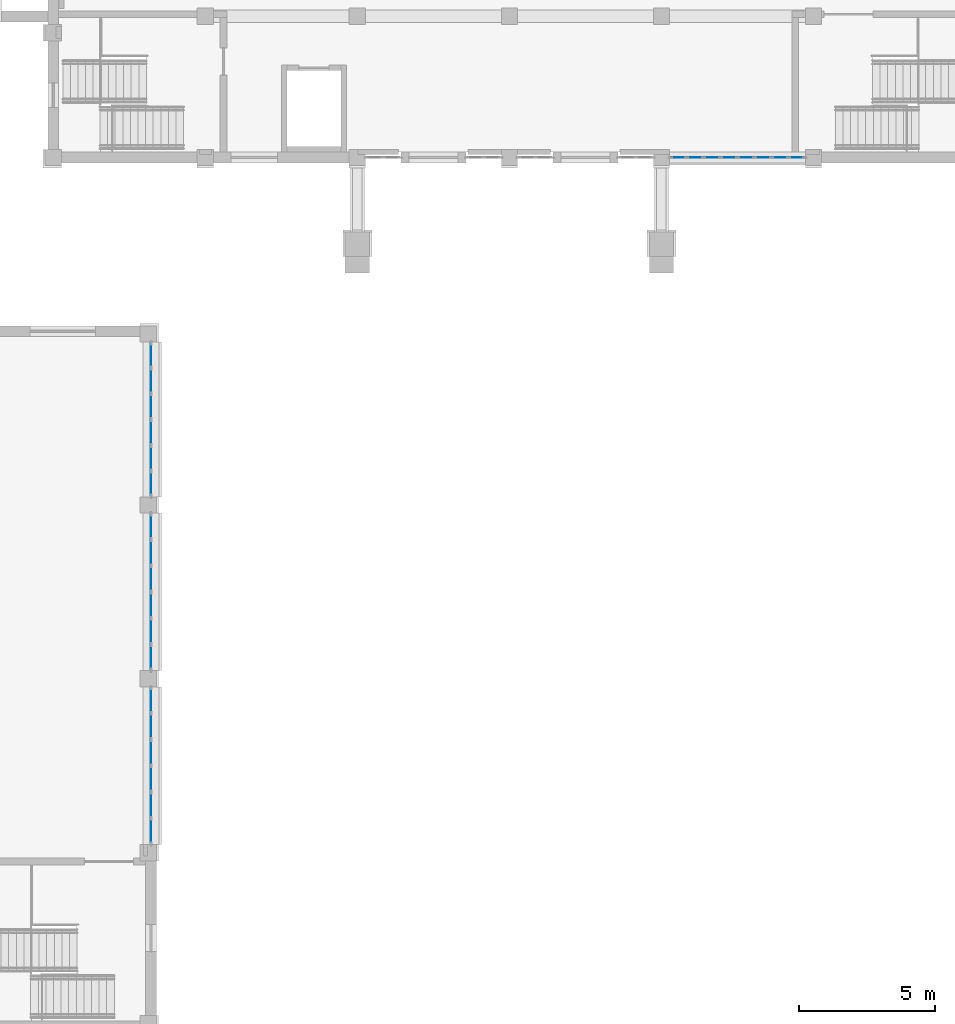
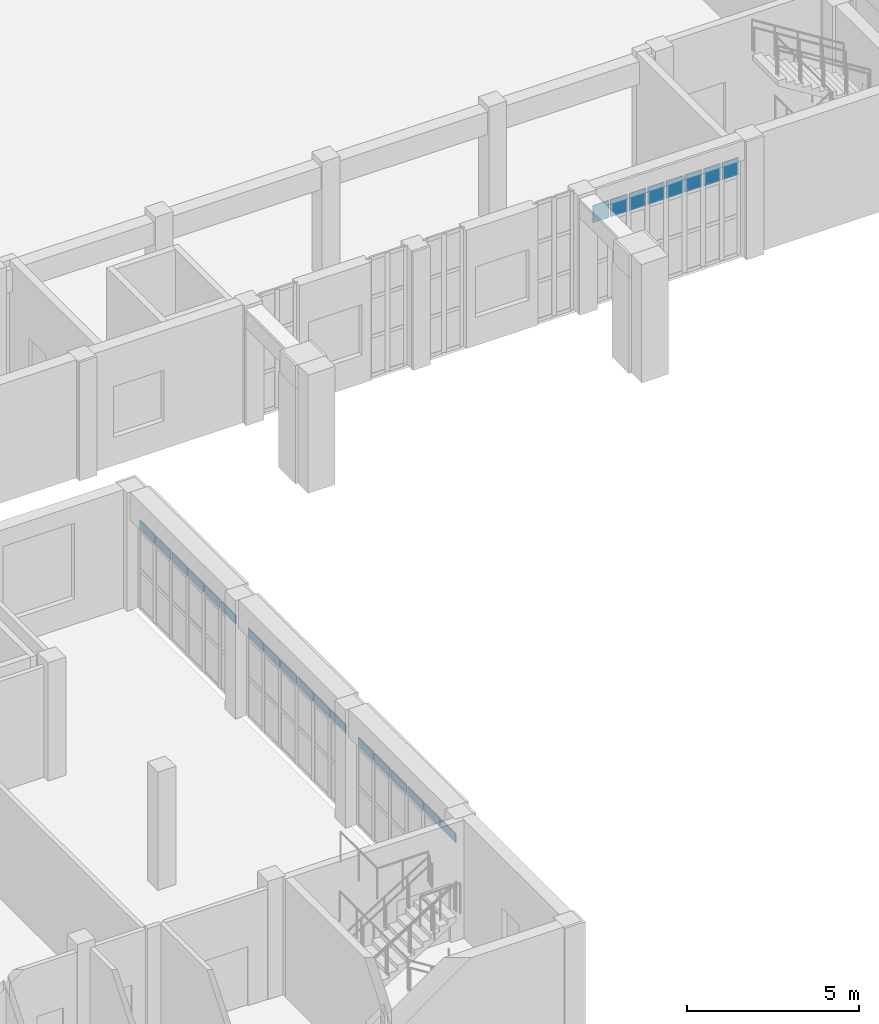
# One storey, part 53 of 99: 26 plates, 4 elements without a shape of their own.
"""IFC4 building model written with IfcOpenShell, lengths in metres."""

from ifc_helpers import new_model, si_unit, direction, frame, origin, origin_2d, place, context, subcontext, project, spatial, rectangle, extrude, material, layer, layer_set, type_object, element, aggregate, save


model = new_model("IFC4")

# Units and contexts
model_context = context("Model", 3, precision=1e-05, world=origin(), true_north=direction((0.0, 1.0)))
body_context = subcontext(model_context, "Body", "Model", "MODEL_VIEW")
ifc_project = project(units=[si_unit("LENGTHUNIT", "METRE"), si_unit("AREAUNIT", "SQUARE_METRE"), si_unit("VOLUMEUNIT", "CUBIC_METRE"), si_unit("PLANEANGLEUNIT", "RADIAN"), si_unit("MASSUNIT", "GRAM", prefix="KILO")], contexts=[model_context])

# Site, building, storey
site_placement = place(None, origin())
site = spatial("IfcSite", under=ifc_project, at=site_placement, CompositionType="ELEMENT")
building_placement = place(site_placement, origin())
building = spatial("IfcBuilding", under=site, at=building_placement, Name="Wasatch Bagh Community Centre", CompositionType="ELEMENT")
storey_placement = place(building_placement, frame((0.0, 0.0, 4.199951171875)))
storey = spatial("IfcBuildingStorey", under=building, at=storey_placement, Name="L01", CompositionType="ELEMENT", Elevation=4.199951171875)

# Curtain wall, plates
ifc_material_1 = material(Name="Aluminium alloy 6063-T6", Category="aluminium")
ifc_layer_1 = layer(ifc_material_1, 0.10009765625)
ifc_layer_set_1 = layer_set([ifc_layer_1], Name="Aluminium alloy 6063-T6")
curtain_wall_type_1 = type_object("IfcCurtainWallType", Name="KW-CW2", PredefinedType="NOTDEFINED", material=ifc_layer_set_1)
curtain_wall_1_placement = place(storey_placement, origin())
curtain_wall_1 = element("IfcCurtainWall", 1, at=curtain_wall_1_placement, inside=storey, type_object=curtain_wall_type_1, Name="Curtain wall KW-CW2", PredefinedType="NOTDEFINED")
ifc_material_2 = material(Name="Laminated glass 8+8 mm", Category="glass")
ifc_layer_2 = layer(ifc_material_2, 0.028076171875)
ifc_layer_set_2 = layer_set([ifc_layer_2], Name="Laminated glass 8+8 mm")
plate_type_1 = type_object("IfcPlateType", Name="KW-CW2 panel", PredefinedType="CURTAIN_PANEL", material=ifc_layer_set_2)
plate_1_placement = place(storey_placement, frame((115.800048828125, 13.3984375, 2.830078125), z_axis=(0.0, 0.0, 1.0), x_axis=(0.0, 1.0, 0.0)))
plate_1 = element("IfcPlate", 2, at=plate_1_placement, type_object=plate_type_1, Name="KW-CW2 panel 1.3", PredefinedType="CURTAIN_PANEL", context=body_context, shape_type="SweptSolid", body=[
    extrude(rectangle(XDim=0.876708984375, YDim=0.028076171875, at=origin_2d()), origin(), (0.0, 0.0, 1.0), 0.31005859375),
])
plate_2_placement = place(storey_placement, frame((115.800048828125, 14.35009765625, 2.830078125), z_axis=(0.0, 0.0, 1.0), x_axis=(0.0, 1.0, 0.0)))
plate_2 = element("IfcPlate", 3, at=plate_2_placement, type_object=plate_type_1, Name="KW-CW2 panel 2.3", PredefinedType="CURTAIN_PANEL", context=body_context, shape_type="SweptSolid", body=[
    extrude(rectangle(XDim=0.90673828125, YDim=0.028076171875, at=origin_2d()), origin(), (0.0, 0.0, 1.0), 0.31005859375),
])
plate_3_placement = place(storey_placement, frame((115.800048828125, 15.316650390625, 2.830078125), z_axis=(0.0, 0.0, 1.0), x_axis=(0.0, 1.0, 0.0)))
plate_3 = element("IfcPlate", 4, at=plate_3_placement, type_object=plate_type_1, Name="KW-CW2 panel 3.3", PredefinedType="CURTAIN_PANEL", context=body_context, shape_type="SweptSolid", body=[
    extrude(rectangle(XDim=0.90673828125, YDim=0.028076171875, at=origin_2d()), origin(), (0.0, 0.0, 1.0), 0.31005859375),
])
plate_4_placement = place(storey_placement, frame((115.800048828125, 16.283447265625, 2.830078125), z_axis=(0.0, 0.0, 1.0), x_axis=(0.0, 1.0, 0.0)))
plate_4 = element("IfcPlate", 5, at=plate_4_placement, type_object=plate_type_1, Name="KW-CW2 panel 4.3", PredefinedType="CURTAIN_PANEL", context=body_context, shape_type="SweptSolid", body=[
    extrude(rectangle(XDim=0.90673828125, YDim=0.028076171875, at=origin_2d()), origin(), (0.0, 0.0, 1.0), 0.31005859375),
])
plate_5_placement = place(storey_placement, frame((115.800048828125, 17.25, 2.830078125), z_axis=(0.0, 0.0, 1.0), x_axis=(0.0, 1.0, 0.0)))
plate_5 = element("IfcPlate", 6, at=plate_5_placement, type_object=plate_type_1, Name="KW-CW2 panel 5.3", PredefinedType="CURTAIN_PANEL", context=body_context, shape_type="SweptSolid", body=[
    extrude(rectangle(XDim=0.90673828125, YDim=0.028076171875, at=origin_2d()), origin(), (0.0, 0.0, 1.0), 0.31005859375),
])
plate_6_placement = place(storey_placement, frame((115.800048828125, 18.20166015625, 2.830078125), z_axis=(0.0, 0.0, 1.0), x_axis=(0.0, 1.0, 0.0)))
plate_6 = element("IfcPlate", 7, at=plate_6_placement, type_object=plate_type_1, Name="KW-CW2 panel 6.3", PredefinedType="CURTAIN_PANEL", context=body_context, shape_type="SweptSolid", body=[
    extrude(rectangle(XDim=0.876708984375, YDim=0.028076171875, at=origin_2d()), origin(), (0.0, 0.0, 1.0), 0.31005859375),
])
aggregate(curtain_wall_1, [plate_1, plate_2, plate_3, plate_4, plate_5, plate_6])

curtain_wall_2_placement = place(storey_placement, origin())
curtain_wall_2 = element("IfcCurtainWall", 8, at=curtain_wall_2_placement, inside=storey, type_object=curtain_wall_type_1, Name="Curtain wall KW-CW2", PredefinedType="NOTDEFINED")
plate_7_placement = place(storey_placement, frame((115.800048828125, 19.79833984375, 2.830078125), z_axis=(0.0, 0.0, 1.0), x_axis=(0.0, 1.0, 0.0)))
plate_7 = element("IfcPlate", 9, at=plate_7_placement, type_object=plate_type_1, Name="KW-CW2 panel 1.3", PredefinedType="CURTAIN_PANEL", context=body_context, shape_type="SweptSolid", body=[
    extrude(rectangle(XDim=0.876708984375, YDim=0.028076171875, at=origin_2d()), origin(), (0.0, 0.0, 1.0), 0.31005859375),
])
plate_8_placement = place(storey_placement, frame((115.800048828125, 20.75, 2.830078125), z_axis=(0.0, 0.0, 1.0), x_axis=(0.0, 1.0, 0.0)))
plate_8 = element("IfcPlate", 10, at=plate_8_placement, type_object=plate_type_1, Name="KW-CW2 panel 2.3", PredefinedType="CURTAIN_PANEL", context=body_context, shape_type="SweptSolid", body=[
    extrude(rectangle(XDim=0.90673828125, YDim=0.028076171875, at=origin_2d()), origin(), (0.0, 0.0, 1.0), 0.31005859375),
])
plate_9_placement = place(storey_placement, frame((115.800048828125, 21.716552734375, 2.830078125), z_axis=(0.0, 0.0, 1.0), x_axis=(0.0, 1.0, 0.0)))
plate_9 = element("IfcPlate", 11, at=plate_9_placement, type_object=plate_type_1, Name="KW-CW2 panel 3.3", PredefinedType="CURTAIN_PANEL", context=body_context, shape_type="SweptSolid", body=[
    extrude(rectangle(XDim=0.90673828125, YDim=0.028076171875, at=origin_2d()), origin(), (0.0, 0.0, 1.0), 0.31005859375),
])
plate_10_placement = place(storey_placement, frame((115.800048828125, 22.683349609375, 2.830078125), z_axis=(0.0, 0.0, 1.0), x_axis=(0.0, 1.0, 0.0)))
plate_10 = element("IfcPlate", 12, at=plate_10_placement, type_object=plate_type_1, Name="KW-CW2 panel 4.3", PredefinedType="CURTAIN_PANEL", context=body_context, shape_type="SweptSolid", body=[
    extrude(rectangle(XDim=0.90673828125, YDim=0.028076171875, at=origin_2d()), origin(), (0.0, 0.0, 1.0), 0.31005859375),
])
plate_11_placement = place(storey_placement, frame((115.800048828125, 23.64990234375, 2.830078125), z_axis=(0.0, 0.0, 1.0), x_axis=(0.0, 1.0, 0.0)))
plate_11 = element("IfcPlate", 13, at=plate_11_placement, type_object=plate_type_1, Name="KW-CW2 panel 5.3", PredefinedType="CURTAIN_PANEL", context=body_context, shape_type="SweptSolid", body=[
    extrude(rectangle(XDim=0.90673828125, YDim=0.028076171875, at=origin_2d()), origin(), (0.0, 0.0, 1.0), 0.31005859375),
])
plate_12_placement = place(storey_placement, frame((115.800048828125, 24.6015625, 2.830078125), z_axis=(0.0, 0.0, 1.0), x_axis=(0.0, 1.0, 0.0)))
plate_12 = element("IfcPlate", 14, at=plate_12_placement, type_object=plate_type_1, Name="KW-CW2 panel 6.3", PredefinedType="CURTAIN_PANEL", context=body_context, shape_type="SweptSolid", body=[
    extrude(rectangle(XDim=0.876708984375, YDim=0.028076171875, at=origin_2d()), origin(), (0.0, 0.0, 1.0), 0.31005859375),
])
aggregate(curtain_wall_2, [plate_7, plate_8, plate_9, plate_10, plate_11, plate_12])

ifc_layer_3 = layer(ifc_material_1, 0.10009765625)
ifc_layer_set_3 = layer_set([ifc_layer_3], Name="Aluminium alloy 6063-T6")
curtain_wall_type_2 = type_object("IfcCurtainWallType", Name="KW-CW3", PredefinedType="NOTDEFINED", material=ifc_layer_set_3)
curtain_wall_3_placement = place(storey_placement, origin())
curtain_wall_3 = element("IfcCurtainWall", 15, at=curtain_wall_3_placement, inside=storey, type_object=curtain_wall_type_2, Name="Curtain wall KW-CW3", PredefinedType="NOTDEFINED")
ifc_layer_4 = layer(ifc_material_2, 0.028076171875)
ifc_layer_set_4 = layer_set([ifc_layer_4], Name="Laminated glass 8+8 mm")
plate_type_2 = type_object("IfcPlateType", Name="KW-CW3 panel", PredefinedType="CURTAIN_PANEL", material=ifc_layer_set_4)
plate_13_placement = place(storey_placement, frame((115.800048828125, 26.18994140625, 2.830078125), z_axis=(0.0, 0.0, 1.0), x_axis=(0.0, 1.0, 0.0)))
plate_13 = element("IfcPlate", 16, at=plate_13_placement, type_object=plate_type_2, Name="KW-CW3 panel 1.3", PredefinedType="CURTAIN_PANEL", context=body_context, shape_type="SweptSolid", body=[
    extrude(rectangle(XDim=0.860107421875, YDim=0.028076171875, at=origin_2d()), origin(), (0.0, 0.0, 1.0), 0.31005859375),
])
plate_14_placement = place(storey_placement, frame((115.800048828125, 27.125, 2.830078125), z_axis=(0.0, 0.0, 1.0), x_axis=(0.0, 1.0, 0.0)))
plate_14 = element("IfcPlate", 17, at=plate_14_placement, type_object=plate_type_2, Name="KW-CW3 panel 2.3", PredefinedType="CURTAIN_PANEL", context=body_context, shape_type="SweptSolid", body=[
    extrude(rectangle(XDim=0.889892578125, YDim=0.028076171875, at=origin_2d()), origin(), (0.0, 0.0, 1.0), 0.31005859375),
])
plate_15_placement = place(storey_placement, frame((115.800048828125, 28.074951171875, 2.830078125), z_axis=(0.0, 0.0, 1.0), x_axis=(0.0, 1.0, 0.0)))
plate_15 = element("IfcPlate", 18, at=plate_15_placement, type_object=plate_type_2, Name="KW-CW3 panel 3.3", PredefinedType="CURTAIN_PANEL", context=body_context, shape_type="SweptSolid", body=[
    extrude(rectangle(XDim=0.889892578125, YDim=0.028076171875, at=origin_2d()), origin(), (0.0, 0.0, 1.0), 0.31005859375),
])
plate_16_placement = place(storey_placement, frame((115.800048828125, 29.02490234375, 2.830078125), z_axis=(0.0, 0.0, 1.0), x_axis=(0.0, 1.0, 0.0)))
plate_16 = element("IfcPlate", 19, at=plate_16_placement, type_object=plate_type_2, Name="KW-CW3 panel 4.3", PredefinedType="CURTAIN_PANEL", context=body_context, shape_type="SweptSolid", body=[
    extrude(rectangle(XDim=0.889892578125, YDim=0.028076171875, at=origin_2d()), origin(), (0.0, 0.0, 1.0), 0.31005859375),
])
plate_17_placement = place(storey_placement, frame((115.800048828125, 29.97509765625, 2.830078125), z_axis=(0.0, 0.0, 1.0), x_axis=(0.0, 1.0, 0.0)))
plate_17 = element("IfcPlate", 20, at=plate_17_placement, type_object=plate_type_2, Name="KW-CW3 panel 5.3", PredefinedType="CURTAIN_PANEL", context=body_context, shape_type="SweptSolid", body=[
    extrude(rectangle(XDim=0.889892578125, YDim=0.028076171875, at=origin_2d()), origin(), (0.0, 0.0, 1.0), 0.31005859375),
])
plate_18_placement = place(storey_placement, frame((115.800048828125, 30.909912109375, 2.830078125), z_axis=(0.0, 0.0, 1.0), x_axis=(0.0, 1.0, 0.0)))
plate_18 = element("IfcPlate", 21, at=plate_18_placement, type_object=plate_type_2, Name="KW-CW3 panel 6.3", PredefinedType="CURTAIN_PANEL", context=body_context, shape_type="SweptSolid", body=[
    extrude(rectangle(XDim=0.860107421875, YDim=0.028076171875, at=origin_2d()), origin(), (0.0, 0.0, 1.0), 0.31005859375),
])
aggregate(curtain_wall_3, [plate_13, plate_14, plate_15, plate_16, plate_17, plate_18])

ifc_layer_5 = layer(ifc_material_1, 0.10009765625)
ifc_layer_set_5 = layer_set([ifc_layer_5], Name="Aluminium alloy 6063-T6")
curtain_wall_type_3 = type_object("IfcCurtainWallType", Name="SH-CW1", PredefinedType="NOTDEFINED", material=ifc_layer_set_5)
curtain_wall_4_placement = place(storey_placement, origin())
curtain_wall_4 = element("IfcCurtainWall", 22, at=curtain_wall_4_placement, inside=storey, type_object=curtain_wall_type_3, Name="Curtain wall SH-CW1", PredefinedType="NOTDEFINED")
ifc_layer_6 = layer(ifc_material_2, 0.028076171875)
ifc_layer_set_6 = layer_set([ifc_layer_6], Name="Laminated glass 8+8 mm")
plate_type_3 = type_object("IfcPlateType", Name="SH-CW1 panel", PredefinedType="CURTAIN_PANEL", material=ifc_layer_set_6)
plate_19_placement = place(storey_placement, frame((135.2275390625, 38.199951171875, 2.830078125), z_axis=(0.0, 0.0, 1.0), x_axis=(1.0, 0.0, 0.0)))
plate_19 = element("IfcPlate", 23, at=plate_19_placement, type_object=plate_type_3, Name="SH-CW1 panel 1.3", PredefinedType="CURTAIN_PANEL", context=body_context, shape_type="SweptSolid", body=[
    extrude(rectangle(XDim=0.534912109375, YDim=0.028076171875, at=origin_2d()), origin(), (0.0, 0.0, 1.0), 0.610107421875),
])
plate_20_placement = place(storey_placement, frame((135.83740234375, 38.199951171875, 2.830078125), z_axis=(0.0, 0.0, 1.0), x_axis=(1.0, 0.0, 0.0)))
plate_20 = element("IfcPlate", 24, at=plate_20_placement, type_object=plate_type_3, Name="SH-CW1 panel 2.3", PredefinedType="CURTAIN_PANEL", context=body_context, shape_type="SweptSolid", body=[
    extrude(rectangle(XDim=0.56494140625, YDim=0.028076171875, at=origin_2d()), origin(), (0.0, 0.0, 1.0), 0.610107421875),
])
plate_21_placement = place(storey_placement, frame((136.46240234375, 38.199951171875, 2.830078125), z_axis=(0.0, 0.0, 1.0), x_axis=(1.0, 0.0, 0.0)))
plate_21 = element("IfcPlate", 25, at=plate_21_placement, type_object=plate_type_3, Name="SH-CW1 panel 3.3", PredefinedType="CURTAIN_PANEL", context=body_context, shape_type="SweptSolid", body=[
    extrude(rectangle(XDim=0.56494140625, YDim=0.028076171875, at=origin_2d()), origin(), (0.0, 0.0, 1.0), 0.610107421875),
])
plate_22_placement = place(storey_placement, frame((137.08740234375, 38.199951171875, 2.830078125), z_axis=(0.0, 0.0, 1.0), x_axis=(1.0, 0.0, 0.0)))
plate_22 = element("IfcPlate", 26, at=plate_22_placement, type_object=plate_type_3, Name="SH-CW1 panel 4.3", PredefinedType="CURTAIN_PANEL", context=body_context, shape_type="SweptSolid", body=[
    extrude(rectangle(XDim=0.56494140625, YDim=0.028076171875, at=origin_2d()), origin(), (0.0, 0.0, 1.0), 0.610107421875),
])
plate_23_placement = place(storey_placement, frame((137.71240234375, 38.199951171875, 2.830078125), z_axis=(0.0, 0.0, 1.0), x_axis=(1.0, 0.0, 0.0)))
plate_23 = element("IfcPlate", 27, at=plate_23_placement, type_object=plate_type_3, Name="SH-CW1 panel 5.3", PredefinedType="CURTAIN_PANEL", context=body_context, shape_type="SweptSolid", body=[
    extrude(rectangle(XDim=0.56494140625, YDim=0.028076171875, at=origin_2d()), origin(), (0.0, 0.0, 1.0), 0.610107421875),
])
plate_24_placement = place(storey_placement, frame((138.33740234375, 38.199951171875, 2.830078125), z_axis=(0.0, 0.0, 1.0), x_axis=(1.0, 0.0, 0.0)))
plate_24 = element("IfcPlate", 28, at=plate_24_placement, type_object=plate_type_3, Name="SH-CW1 panel 6.3", PredefinedType="CURTAIN_PANEL", context=body_context, shape_type="SweptSolid", body=[
    extrude(rectangle(XDim=0.56494140625, YDim=0.028076171875, at=origin_2d()), origin(), (0.0, 0.0, 1.0), 0.610107421875),
])
plate_25_placement = place(storey_placement, frame((138.96240234375, 38.199951171875, 2.830078125), z_axis=(0.0, 0.0, 1.0), x_axis=(1.0, 0.0, 0.0)))
plate_25 = element("IfcPlate", 29, at=plate_25_placement, type_object=plate_type_3, Name="SH-CW1 panel 7.3", PredefinedType="CURTAIN_PANEL", context=body_context, shape_type="SweptSolid", body=[
    extrude(rectangle(XDim=0.56494140625, YDim=0.028076171875, at=origin_2d()), origin(), (0.0, 0.0, 1.0), 0.610107421875),
])
plate_26_placement = place(storey_placement, frame((139.572509765625, 38.199951171875, 2.830078125), z_axis=(0.0, 0.0, 1.0), x_axis=(1.0, 0.0, 0.0)))
plate_26 = element("IfcPlate", 30, at=plate_26_placement, type_object=plate_type_3, Name="SH-CW1 panel 8.3", PredefinedType="CURTAIN_PANEL", context=body_context, shape_type="SweptSolid", body=[
    extrude(rectangle(XDim=0.534912109375, YDim=0.028076171875, at=origin_2d()), origin(), (0.0, 0.0, 1.0), 0.610107421875),
])
aggregate(curtain_wall_4, [plate_19, plate_20, plate_21, plate_22, plate_23, plate_24, plate_25, plate_26])

save(model, "model.ifc")
